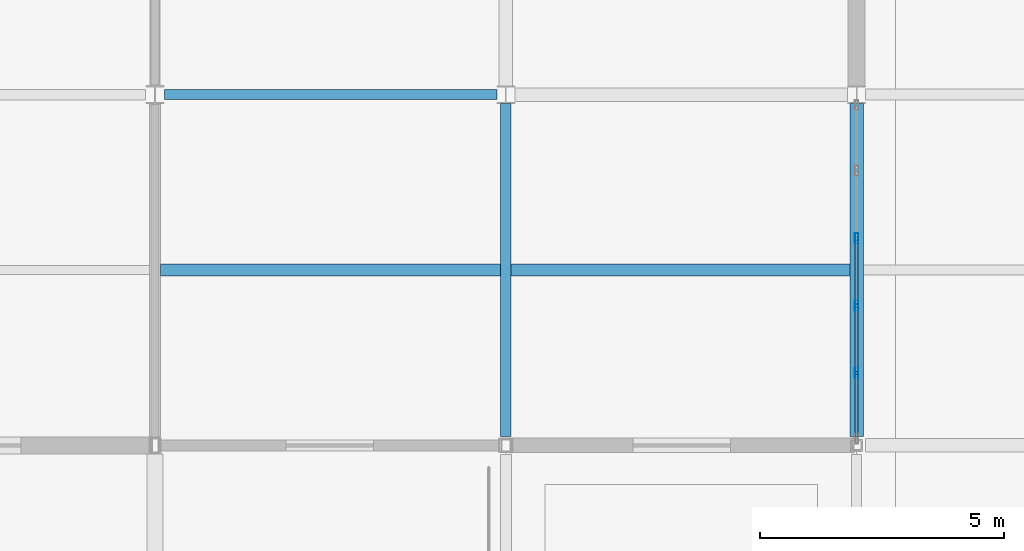
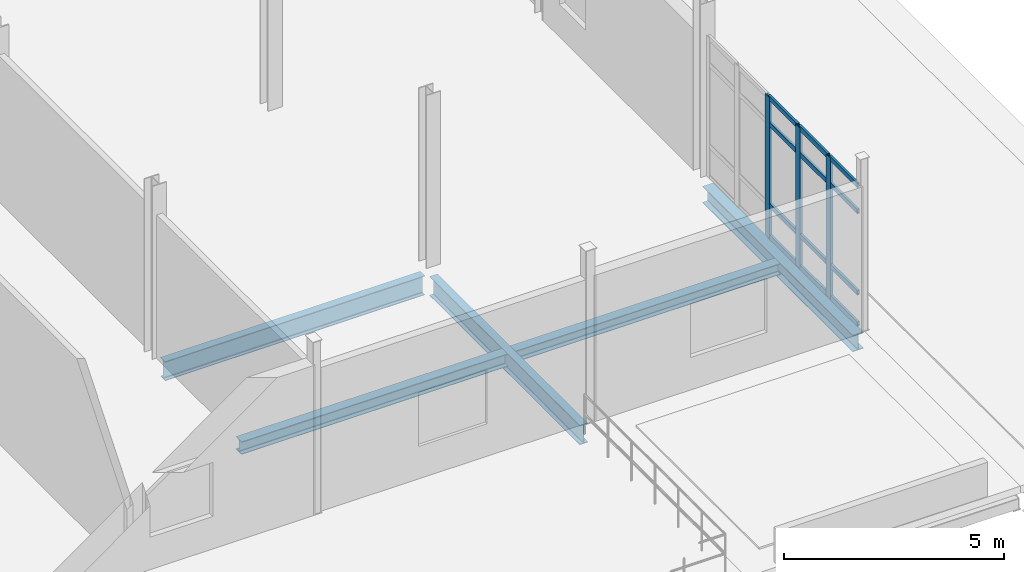
# One storey, part 102 of 186: 15 members, 5 beams, 1 element without a shape of its own.
"""IFC4 building model written with IfcOpenShell, lengths in metres."""

import ifcopenshell
import ifcopenshell.guid

model = None  # the IFC model being written
_history = None  # IfcOwnerHistory: only IFC2X3 demands one
_inside = {}  # id of a spatial element -> (the spatial element, [elements in it])
_under = {}  # id of a project, library or spatial element -> (it, [spatial elements below it])
_declared = {}  # id of a project -> (the project, [libraries it declares])
_typed = {}  # id of a type object -> (the type object, [elements of that type])
_made_of = {}  # id of a material, layer set ... -> (it, [elements and type objects made of it])


def new_model(schema):
    """Start an empty IFC model of exactly this schema.

    Asked for "IFC4X3", IfcOpenShell would pick the latest addendum, in which some entities
    have other attributes; the version numbers below select the first issue.
    IFC2X3 requires an IfcOwnerHistory on every rooted entity: one is made here for all.
    """
    global model, _history
    if schema == "IFC4X3":
        model = ifcopenshell.file(schema_version=(4, 3, 0, 0))
    else:
        model = ifcopenshell.file(schema=schema)
    _inside.clear()
    _under.clear()
    _declared.clear()
    _typed.clear()
    _made_of.clear()
    _history = None
    if model.schema == "IFC2X3":
        org = make("IfcOrganization", Name="unknown")
        user = make(
            "IfcPersonAndOrganization",
            ThePerson=make("IfcPerson", FamilyName="unknown"),
            TheOrganization=org,
        )
        app = make(
            "IfcApplication",
            ApplicationDeveloper=org,
            Version="unknown",
            ApplicationFullName="unknown",
            ApplicationIdentifier="unknown",
        )
        _history = make(
            "IfcOwnerHistory",
            OwningUser=user,
            OwningApplication=app,
            ChangeAction="ADDED",
            CreationDate=0,
        )
    return model


def make(cls, **values):
    """One entity of the class cls with the attributes given. An attribute that is None is left unset."""
    return model.create_entity(
        cls, **{name: value for name, value in values.items() if value is not None}
    )


def rooted(cls, **values):
    """An entity with a GlobalId (a new one), such as an element, a storey or a relation."""
    return make(cls, GlobalId=ifcopenshell.guid.new(), OwnerHistory=_history, **values)


def si_unit(unit_type, name, prefix=None):
    """IfcSIUnit, for example si_unit("LENGTHUNIT", "METRE", prefix="MILLI")."""
    return make("IfcSIUnit", UnitType=unit_type, Prefix=prefix, Name=name)


def assignment(units):
    """IfcUnitAssignment: the units of a project."""
    return None if units is None else make("IfcUnitAssignment", Units=units)


def point(xyz):
    """IfcCartesianPoint."""
    return None if xyz is None else make("IfcCartesianPoint", Coordinates=xyz)


def direction(xyz):
    """IfcDirection."""
    return None if xyz is None else make("IfcDirection", DirectionRatios=xyz)


def frame(location, z_axis=None, x_axis=None):
    """IfcAxis2Placement3D, a coordinate frame: its origin and axes. An axis left out is left unset."""
    return make(
        "IfcAxis2Placement3D",
        Location=point(location),
        Axis=direction(z_axis),
        RefDirection=direction(x_axis),
    )


def frame_2d(location, x_axis=None):
    """IfcAxis2Placement2D, a coordinate frame in the plane: its origin and x axis."""
    return make(
        "IfcAxis2Placement2D", Location=point(location), RefDirection=direction(x_axis)
    )


def origin():
    """The frame at (0, 0, 0) with its axes left unset."""
    return frame((0.0, 0.0, 0.0))


def origin_2d():
    """The frame at (0, 0) in the plane with its x axis left unset."""
    return frame_2d((0.0, 0.0))


def place(relative_to, where):
    """IfcLocalPlacement: puts the frame where relative to a parent placement (None: the world)."""
    return make(
        "IfcLocalPlacement", PlacementRelTo=relative_to, RelativePlacement=where
    )


def context(
    kind, dimensions, precision=None, world=None, true_north=None, identifier=None
):
    """IfcGeometricRepresentationContext, for example the 3D "Model" context."""
    return make(
        "IfcGeometricRepresentationContext",
        ContextIdentifier=identifier,
        ContextType=kind,
        CoordinateSpaceDimension=dimensions,
        Precision=precision,
        WorldCoordinateSystem=world,
        TrueNorth=true_north,
    )


def subcontext(parent, identifier, kind, view, scale=None):
    """IfcGeometricRepresentationSubContext, for example "Body" below "Model"."""
    return make(
        "IfcGeometricRepresentationSubContext",
        ContextIdentifier=identifier,
        ContextType=kind,
        ParentContext=parent,
        TargetScale=scale,
        TargetView=view,
    )


def project(units=None, contexts=None):
    """IfcProject with its units and contexts."""
    return rooted(
        "IfcProject",
        Name="project",
        RepresentationContexts=contexts,
        UnitsInContext=assignment(units),
    )


def spatial(cls, under=None, at=None, **own):
    """A site, building, storey or space (cls), placed at a placement, below another one or the project."""
    s = rooted(cls, ObjectPlacement=at, **own)
    if under is not None:
        _under.setdefault(under.id(), (under, []))[1].append(s)
    return s


def profile(cls, at=None, kind="AREA", **sizes):
    """A parametric profile (cls). Its sizes go by their IFC names, for example OverallWidth=200.0."""
    return make(cls, ProfileType=kind, Position=at, **sizes)


def hollow_rectangle(**sizes):
    """IfcRectangleHollowProfileDef."""
    return profile("IfcRectangleHollowProfileDef", **sizes)


def i_section(**sizes):
    """IfcIShapeProfileDef."""
    return profile("IfcIShapeProfileDef", **sizes)


def extrude(swept, where, along, depth):
    """IfcExtrudedAreaSolid: the profile swept, set in the frame where, extruded along a direction by depth."""
    return make(
        "IfcExtrudedAreaSolid",
        SweptArea=swept,
        Position=where,
        ExtrudedDirection=direction(along),
        Depth=depth,
    )


def shape(context_of_items, identifier, shape_type, items):
    """IfcShapeRepresentation: the items that make up one representation, for example the "Body"."""
    return make(
        "IfcShapeRepresentation",
        ContextOfItems=context_of_items,
        RepresentationIdentifier=identifier,
        RepresentationType=shape_type,
        Items=items,
    )


def material(Name=None, Category=None):
    """IfcMaterial."""
    return make("IfcMaterial", Name=Name, Category=Category)


def layer(
    of_material, thickness, ventilated=None, Name=None, Category=None, Priority=None
):
    """IfcMaterialLayer: one layer of a wall or slab, of a material (None: an air gap)."""
    return make(
        "IfcMaterialLayer",
        Material=of_material,
        LayerThickness=thickness,
        IsVentilated=ventilated,
        Name=Name,
        Category=Category,
        Priority=Priority,
    )


def layer_set(layers, Name=None):
    """IfcMaterialLayerSet."""
    return make("IfcMaterialLayerSet", MaterialLayers=layers, LayerSetName=Name)


def material_profile(
    of_material, cross_section, Name=None, Category=None, Priority=None
):
    """IfcMaterialProfile: a cross section and its material."""
    return make(
        "IfcMaterialProfile",
        Name=Name,
        Material=of_material,
        Profile=cross_section,
        Priority=Priority,
        Category=Category,
    )


def profile_set(profiles, Name=None, composite=None):
    """IfcMaterialProfileSet."""
    return make(
        "IfcMaterialProfileSet",
        Name=Name,
        MaterialProfiles=profiles,
        CompositeProfile=composite,
    )


def made_of(thing, what):
    """Note that an element or type object is made of a material, layer set ...; save() writes the relation."""
    if what is not None:
        _made_of.setdefault(what.id(), (what, []))[1].append(thing)
    return thing


def type_object(cls, material=None, **own):
    """A type object (cls), such as IfcWallType, which elements share."""
    return made_of(rooted(cls, **own), material)


def element(
    cls,
    number,
    at=None,
    inside=None,
    cuts=None,
    type_object=None,
    material=None,
    context=None,
    identifier="Body",
    shape_type=None,
    held_by="IfcProductDefinitionShape",
    body=None,
    shapes=None,
    **own,
):
    """One element of the class cls, such as IfcWall. Its Tag is "e" and its number.

    at: its placement. inside: the storey or other place that contains it. cuts: it is an
    opening in that element (IfcRelVoidsElement). A single representation is given by context,
    identifier, shape_type and body (its items); several are given by shapes. held_by: the class
    of the entity that holds the representations. save() writes the other relations.
    """
    e = rooted(cls, Tag="e%d" % number, ObjectPlacement=at, **own)
    if body is not None:
        shapes = [shape(context, identifier, shape_type, body)]
    if shapes is not None:
        e.Representation = make(held_by, Representations=shapes)
    if inside is not None:
        _inside.setdefault(inside.id(), (inside, []))[1].append(e)
    if cuts is not None:
        rooted(
            "IfcRelVoidsElement", RelatingBuildingElement=cuts, RelatedOpeningElement=e
        )
    if type_object is not None:
        _typed.setdefault(type_object.id(), (type_object, []))[1].append(e)
    return made_of(e, material)


def aggregate(whole, parts):
    """IfcRelAggregates: a whole, such as a stair, and the parts it consists of."""
    return rooted("IfcRelAggregates", RelatingObject=whole, RelatedObjects=parts)


def save(model, path):
    """Write the relations noted so far, then the file.

    IfcRelAggregates (storeys below a building ...), IfcRelContainedInSpatialStructure (elements
    in a storey), IfcRelDefinesByType, IfcRelAssociatesMaterial and IfcRelDeclares: one each for
    every whole, place, type object, material and project.
    """
    for whole, parts in _under.values():
        aggregate(whole, parts)
    for where, things in _inside.values():
        rooted(
            "IfcRelContainedInSpatialStructure",
            RelatedElements=things,
            RelatingStructure=where,
        )
    for kind, things in _typed.values():
        rooted("IfcRelDefinesByType", RelatedObjects=things, RelatingType=kind)
    for what, things in _made_of.values():
        rooted("IfcRelAssociatesMaterial", RelatedObjects=things, RelatingMaterial=what)
    for by, libraries in _declared.values():
        rooted("IfcRelDeclares", RelatingContext=by, RelatedDefinitions=libraries)
    model.write(path)


model = new_model("IFC4")

# Units and contexts
model_context = context("Model", 3, precision=1e-05, world=origin(), true_north=direction((0.0, 1.0)))
body_context = subcontext(model_context, "Body", "Model", "MODEL_VIEW")
ifc_project = project(units=[si_unit("LENGTHUNIT", "METRE"), si_unit("AREAUNIT", "SQUARE_METRE"), si_unit("VOLUMEUNIT", "CUBIC_METRE"), si_unit("PLANEANGLEUNIT", "RADIAN"), si_unit("MASSUNIT", "GRAM", prefix="KILO")], contexts=[model_context])

# Site, building, storey
site_placement = place(None, origin())
site = spatial("IfcSite", under=ifc_project, at=site_placement, CompositionType="ELEMENT")
building_placement = place(site_placement, origin())
building = spatial("IfcBuilding", under=site, at=building_placement, Name="Calvrana Isthmian Art Gallery", CompositionType="ELEMENT")
storey_placement = place(building_placement, frame((0.0, 0.0, 5.39990234375)))
storey = spatial("IfcBuildingStorey", under=building, at=storey_placement, Name="L01", CompositionType="ELEMENT", Elevation=5.39990234375)

# Beams
ifc_material_1 = material(Name="Steel ASTM A992 Gr 50", Category="steel")
ifc_material_profile_1 = material_profile(ifc_material_1, i_section(OverallWidth=0.279052734375, OverallDepth=0.4619140625, WebThickness=0.0107421875, FlangeThickness=0.017333984375, FilletRadius=0.02001953125, at=origin_2d()), Name="W18X76")
ifc_profile_set_1 = profile_set([ifc_material_profile_1], Name="Steel ASTM A992 Gr 50")
beam_type_1 = type_object("IfcBeamType", Name="BM-G-W18X76", PredefinedType="BEAM", material=ifc_profile_set_1)
beam_1_placement = place(storey_placement, frame((156.0, 7.384033203125, -0.475830078125), z_axis=(0.0, 1.0, 0.0), x_axis=(-1.0, 0.0, 0.0)))
element("IfcBeam", 1, at=beam_1_placement, inside=storey, type_object=beam_type_1, Name="Girder Y L01 21/B-C", PredefinedType="BEAM", context=body_context, shape_type="SweptSolid", body=[
    extrude(i_section(OverallWidth=0.279052734375, OverallDepth=0.4619140625, WebThickness=0.0107421875, FlangeThickness=0.017333984375, FilletRadius=0.02001953125, at=origin_2d()), origin(), (0.0, 0.0, 1.0), 6.829345703125),
])
ifc_material_profile_2 = material_profile(ifc_material_1, i_section(OverallWidth=0.208984375, OverallDepth=0.532958984375, WebThickness=0.01025390625, FlangeThickness=0.015625, FilletRadius=0.02099609375, at=origin_2d()), Name="W21X62")
ifc_profile_set_2 = profile_set([ifc_material_profile_2], Name="Steel ASTM A992 Gr 50")
beam_type_2 = type_object("IfcBeamType", Name="BM-G-W21X62", PredefinedType="BEAM", material=ifc_profile_set_2)
beam_2_placement = place(storey_placement, frame((141.797119140625, 14.39990234375, -0.511474609375), z_axis=(1.0, 0.0, 0.0), x_axis=(0.0, 1.0, 0.0)))
element("IfcBeam", 2, at=beam_2_placement, inside=storey, type_object=beam_type_2, Name="Girder X L01 19-20/C", PredefinedType="BEAM", context=body_context, shape_type="SweptSolid", body=[
    extrude(i_section(OverallWidth=0.208984375, OverallDepth=0.532958984375, WebThickness=0.01025390625, FlangeThickness=0.015625, FilletRadius=0.02099609375, at=origin_2d()), origin(), (0.0, 0.0, 1.0), 6.81884765625),
])
beam_3_placement = place(storey_placement, frame((148.800048828125, 7.386474609375, -0.511474609375), z_axis=(0.0, 1.0, 0.0), x_axis=(-1.0, 0.0, 0.0)))
element("IfcBeam", 3, at=beam_3_placement, inside=storey, type_object=beam_type_2, Name="Girder Y L01 20/B-C", PredefinedType="BEAM", context=body_context, shape_type="SweptSolid", body=[
    extrude(i_section(OverallWidth=0.208984375, OverallDepth=0.532958984375, WebThickness=0.01025390625, FlangeThickness=0.015625, FilletRadius=0.02099609375, at=origin_2d()), origin(), (0.0, 0.0, 1.0), 6.83544921875),
])
ifc_material_profile_3 = material_profile(ifc_material_1, i_section(OverallWidth=0.25390625, OverallDepth=0.306884765625, WebThickness=0.0087890625, FlangeThickness=0.0146484375, FilletRadius=0.01611328125, at=origin_2d()), Name="W12X53")
ifc_profile_set_3 = profile_set([ifc_material_profile_3], Name="Steel ASTM A992 Gr 50")
beam_type_3 = type_object("IfcBeamType", Name="BM-J-W12X53", PredefinedType="JOIST", material=ifc_profile_set_3)
beam_4_placement = place(storey_placement, frame((148.904541015625, 10.800048828125, -0.3984375), z_axis=(1.0, 0.0, 0.0), x_axis=(0.0, 1.0, 0.0)))
element("IfcBeam", 4, at=beam_4_placement, inside=storey, type_object=beam_type_3, Name="Composite joist L01 bay 19-01", PredefinedType="JOIST", context=body_context, shape_type="SweptSolid", body=[
    extrude(i_section(OverallWidth=0.25390625, OverallDepth=0.306884765625, WebThickness=0.0087890625, FlangeThickness=0.0146484375, FilletRadius=0.01611328125, at=origin_2d()), origin(), (0.0, 0.0, 1.0), 6.9560546875),
])
ifc_material_profile_4 = material_profile(ifc_material_1, i_section(OverallWidth=0.25390625, OverallDepth=0.35302734375, WebThickness=0.009521484375, FlangeThickness=0.016357421875, FilletRadius=0.01806640625, at=origin_2d()), Name="W14X61")
ifc_profile_set_4 = profile_set([ifc_material_profile_4], Name="Steel ASTM A992 Gr 50")
beam_type_4 = type_object("IfcBeamType", Name="BM-J-W14X61", PredefinedType="JOIST", material=ifc_profile_set_4)
beam_5_placement = place(storey_placement, frame((141.714111328125, 10.800048828125, -0.42138671875), z_axis=(1.0, 0.0, 0.0), x_axis=(0.0, 1.0, 0.0)))
element("IfcBeam", 5, at=beam_5_placement, inside=storey, type_object=beam_type_4, Name="Composite joist L01 bay 18-01", PredefinedType="JOIST", context=body_context, shape_type="SweptSolid", body=[
    extrude(i_section(OverallWidth=0.25390625, OverallDepth=0.35302734375, WebThickness=0.009521484375, FlangeThickness=0.016357421875, FilletRadius=0.01806640625, at=origin_2d()), origin(), (0.0, 0.0, 1.0), 6.9814453125),
])

# Curtain wall, members
ifc_material_2 = material(Name="Anodized bronze aluminium 6063-T6", Category="aluminium")
ifc_layer = layer(ifc_material_2, 0.179931640625, Name="Anodized bronze aluminium 6063-T6")
ifc_layer_set = layer_set([ifc_layer], Name="Anodized bronze aluminium 6063-T6")
curtain_wall_type = type_object("IfcCurtainWallType", Name="CW-UNIT-069X39", PredefinedType="USERDEFINED", material=ifc_layer_set)
curtain_wall_placement = place(storey_placement, origin())
curtain_wall = element("IfcCurtainWall", 6, at=curtain_wall_placement, inside=storey, type_object=curtain_wall_type, Name="Curtain wall CW-141", ObjectType="UNITISED CURTAIN WALL", PredefinedType="USERDEFINED")
ifc_material_profile_5 = material_profile(ifc_material_2, hollow_rectangle(XDim=0.070068359375, YDim=0.199951171875, WallThickness=0.0048828125, at=origin_2d()), Name="CWM70X200")
ifc_profile_set_5 = profile_set([ifc_material_profile_5], Name="Anodized bronze aluminium 6063-T6")
member_type_1 = type_object("IfcMemberType", Name="CWM-CWM70X200", PredefinedType="MULLION", material=ifc_profile_set_5)
member_1_placement = place(storey_placement, frame((156.0, 11.453857421875, 0.0), z_axis=(0.0, 0.0, 1.0), x_axis=(1.0, 0.0, 0.0)))
member_1 = element("IfcMember", 7, at=member_1_placement, type_object=member_type_1, Name="CW-141 mullion 3", PredefinedType="MULLION", context=body_context, shape_type="SweptSolid", body=[
    extrude(hollow_rectangle(XDim=0.070068359375, YDim=0.199951171875, WallThickness=0.0048828125, at=origin_2d()), origin(), (0.0, 0.0, 1.0), 3.908203125),
])
member_2_placement = place(storey_placement, frame((156.0, 10.06982421875, 0.0), z_axis=(0.0, 0.0, 1.0), x_axis=(1.0, 0.0, 0.0)))
member_2 = element("IfcMember", 8, at=member_2_placement, type_object=member_type_1, Name="CW-141 mullion 4", PredefinedType="MULLION", context=body_context, shape_type="SweptSolid", body=[
    extrude(hollow_rectangle(XDim=0.070068359375, YDim=0.199951171875, WallThickness=0.0048828125, at=origin_2d()), origin(), (0.0, 0.0, 1.0), 3.908203125),
])
member_3_placement = place(storey_placement, frame((156.0, 8.685791015625, 0.0), z_axis=(0.0, 0.0, 1.0), x_axis=(1.0, 0.0, 0.0)))
member_3 = element("IfcMember", 9, at=member_3_placement, type_object=member_type_1, Name="CW-141 mullion 5", PredefinedType="MULLION", context=body_context, shape_type="SweptSolid", body=[
    extrude(hollow_rectangle(XDim=0.070068359375, YDim=0.199951171875, WallThickness=0.0048828125, at=origin_2d()), origin(), (0.0, 0.0, 1.0), 3.908203125),
])
ifc_material_profile_6 = material_profile(ifc_material_2, hollow_rectangle(XDim=0.06005859375, YDim=0.1298828125, WallThickness=0.00390625, at=origin_2d()), Name="CWT60X130")
ifc_profile_set_6 = profile_set([ifc_material_profile_6], Name="Anodized bronze aluminium 6063-T6")
member_type_2 = type_object("IfcMemberType", Name="CWT-CWT60X130", PredefinedType="USERDEFINED", material=ifc_profile_set_6)
member_4_placement = place(storey_placement, frame((156.0, 11.4189453125, 0.030029296875), z_axis=(0.0, -1.0, 0.0), x_axis=(1.0, 0.0, 0.0)))
member_4 = element("IfcMember", 10, at=member_4_placement, type_object=member_type_2, Name="CW-141 transom 3.1", ObjectType="TRANSOM", PredefinedType="USERDEFINED", context=body_context, shape_type="SweptSolid", body=[
    extrude(hollow_rectangle(XDim=0.06005859375, YDim=0.1298828125, WallThickness=0.00390625, at=origin_2d()), origin(), (0.0, 0.0, 1.0), 1.314208984375),
])
member_5_placement = place(storey_placement, frame((156.0, 11.4189453125, 0.900146484375), z_axis=(0.0, -1.0, 0.0), x_axis=(1.0, 0.0, 0.0)))
member_5 = element("IfcMember", 11, at=member_5_placement, type_object=member_type_2, Name="CW-141 transom 3.2", ObjectType="TRANSOM", PredefinedType="USERDEFINED", context=body_context, shape_type="SweptSolid", body=[
    extrude(hollow_rectangle(XDim=0.06005859375, YDim=0.1298828125, WallThickness=0.00390625, at=origin_2d()), origin(), (0.0, 0.0, 1.0), 1.314208984375),
])
member_6_placement = place(storey_placement, frame((156.0, 11.4189453125, 3.158203125), z_axis=(0.0, -1.0, 0.0), x_axis=(1.0, 0.0, 0.0)))
member_6 = element("IfcMember", 12, at=member_6_placement, type_object=member_type_2, Name="CW-141 transom 3.3", ObjectType="TRANSOM", PredefinedType="USERDEFINED", context=body_context, shape_type="SweptSolid", body=[
    extrude(hollow_rectangle(XDim=0.06005859375, YDim=0.1298828125, WallThickness=0.00390625, at=origin_2d()), origin(), (0.0, 0.0, 1.0), 1.314208984375),
])
member_7_placement = place(storey_placement, frame((156.0, 11.4189453125, 3.878173828125), z_axis=(0.0, -1.0, 0.0), x_axis=(1.0, 0.0, 0.0)))
member_7 = element("IfcMember", 13, at=member_7_placement, type_object=member_type_2, Name="CW-141 transom 3.4", ObjectType="TRANSOM", PredefinedType="USERDEFINED", context=body_context, shape_type="SweptSolid", body=[
    extrude(hollow_rectangle(XDim=0.06005859375, YDim=0.1298828125, WallThickness=0.00390625, at=origin_2d()), origin(), (0.0, 0.0, 1.0), 1.314208984375),
])
member_8_placement = place(storey_placement, frame((156.0, 10.03466796875, 0.030029296875), z_axis=(0.0, -1.0, 0.0), x_axis=(1.0, 0.0, 0.0)))
member_8 = element("IfcMember", 14, at=member_8_placement, type_object=member_type_2, Name="CW-141 transom 4.1", ObjectType="TRANSOM", PredefinedType="USERDEFINED", context=body_context, shape_type="SweptSolid", body=[
    extrude(hollow_rectangle(XDim=0.06005859375, YDim=0.1298828125, WallThickness=0.00390625, at=origin_2d()), origin(), (0.0, 0.0, 1.0), 1.31396484375),
])
member_9_placement = place(storey_placement, frame((156.0, 10.03466796875, 0.900146484375), z_axis=(0.0, -1.0, 0.0), x_axis=(1.0, 0.0, 0.0)))
member_9 = element("IfcMember", 15, at=member_9_placement, type_object=member_type_2, Name="CW-141 transom 4.2", ObjectType="TRANSOM", PredefinedType="USERDEFINED", context=body_context, shape_type="SweptSolid", body=[
    extrude(hollow_rectangle(XDim=0.06005859375, YDim=0.1298828125, WallThickness=0.00390625, at=origin_2d()), origin(), (0.0, 0.0, 1.0), 1.31396484375),
])
member_10_placement = place(storey_placement, frame((156.0, 10.03466796875, 3.158203125), z_axis=(0.0, -1.0, 0.0), x_axis=(1.0, 0.0, 0.0)))
member_10 = element("IfcMember", 16, at=member_10_placement, type_object=member_type_2, Name="CW-141 transom 4.3", ObjectType="TRANSOM", PredefinedType="USERDEFINED", context=body_context, shape_type="SweptSolid", body=[
    extrude(hollow_rectangle(XDim=0.06005859375, YDim=0.1298828125, WallThickness=0.00390625, at=origin_2d()), origin(), (0.0, 0.0, 1.0), 1.31396484375),
])
member_11_placement = place(storey_placement, frame((156.0, 10.03466796875, 3.878173828125), z_axis=(0.0, -1.0, 0.0), x_axis=(1.0, 0.0, 0.0)))
member_11 = element("IfcMember", 17, at=member_11_placement, type_object=member_type_2, Name="CW-141 transom 4.4", ObjectType="TRANSOM", PredefinedType="USERDEFINED", context=body_context, shape_type="SweptSolid", body=[
    extrude(hollow_rectangle(XDim=0.06005859375, YDim=0.1298828125, WallThickness=0.00390625, at=origin_2d()), origin(), (0.0, 0.0, 1.0), 1.31396484375),
])
member_12_placement = place(storey_placement, frame((156.0, 8.650634765625, 0.030029296875), z_axis=(0.0, -1.0, 0.0), x_axis=(1.0, 0.0, 0.0)))
member_12 = element("IfcMember", 18, at=member_12_placement, type_object=member_type_2, Name="CW-141 transom 5.1", ObjectType="TRANSOM", PredefinedType="USERDEFINED", context=body_context, shape_type="SweptSolid", body=[
    extrude(hollow_rectangle(XDim=0.06005859375, YDim=0.1298828125, WallThickness=0.00390625, at=origin_2d()), origin(), (0.0, 0.0, 1.0), 1.279052734375),
])
member_13_placement = place(storey_placement, frame((156.0, 8.650634765625, 0.900146484375), z_axis=(0.0, -1.0, 0.0), x_axis=(1.0, 0.0, 0.0)))
member_13 = element("IfcMember", 19, at=member_13_placement, type_object=member_type_2, Name="CW-141 transom 5.2", ObjectType="TRANSOM", PredefinedType="USERDEFINED", context=body_context, shape_type="SweptSolid", body=[
    extrude(hollow_rectangle(XDim=0.06005859375, YDim=0.1298828125, WallThickness=0.00390625, at=origin_2d()), origin(), (0.0, 0.0, 1.0), 1.279052734375),
])
member_14_placement = place(storey_placement, frame((156.0, 8.650634765625, 3.158203125), z_axis=(0.0, -1.0, 0.0), x_axis=(1.0, 0.0, 0.0)))
member_14 = element("IfcMember", 20, at=member_14_placement, type_object=member_type_2, Name="CW-141 transom 5.3", ObjectType="TRANSOM", PredefinedType="USERDEFINED", context=body_context, shape_type="SweptSolid", body=[
    extrude(hollow_rectangle(XDim=0.06005859375, YDim=0.1298828125, WallThickness=0.00390625, at=origin_2d()), origin(), (0.0, 0.0, 1.0), 1.279052734375),
])
member_15_placement = place(storey_placement, frame((156.0, 8.650634765625, 3.878173828125), z_axis=(0.0, -1.0, 0.0), x_axis=(1.0, 0.0, 0.0)))
member_15 = element("IfcMember", 21, at=member_15_placement, type_object=member_type_2, Name="CW-141 transom 5.4", ObjectType="TRANSOM", PredefinedType="USERDEFINED", context=body_context, shape_type="SweptSolid", body=[
    extrude(hollow_rectangle(XDim=0.06005859375, YDim=0.1298828125, WallThickness=0.00390625, at=origin_2d()), origin(), (0.0, 0.0, 1.0), 1.279052734375),
])
aggregate(curtain_wall, [member_1, member_2, member_3, member_4, member_5, member_6, member_7, member_8, member_9, member_10, member_11, member_12, member_13, member_14, member_15])

save(model, "model.ifc")
